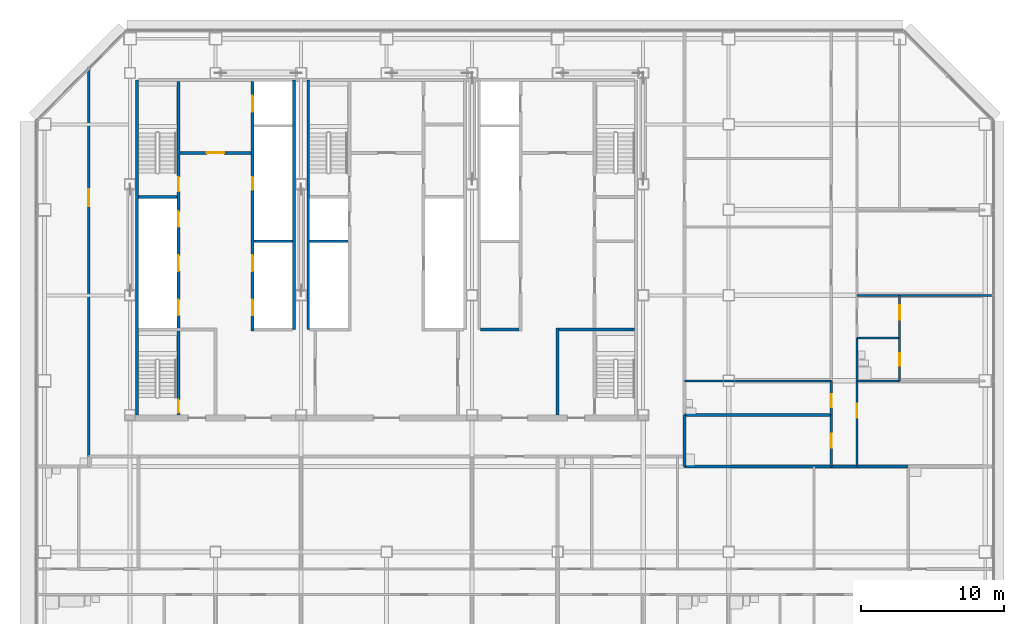
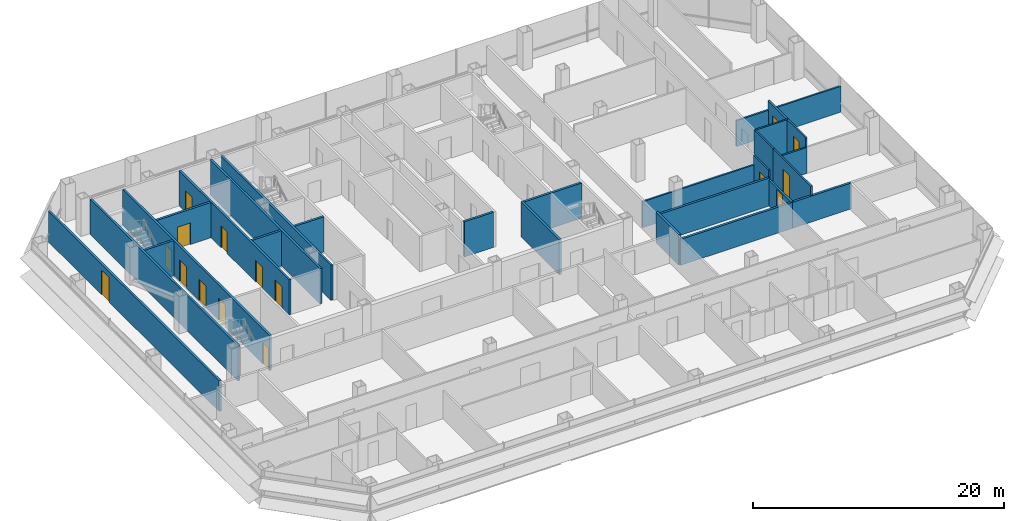
# One storey, part 22 of 27: 27 walls, 16 doors, 16 openings.
"""IFC4 building model written with IfcOpenShell, lengths in metres."""

import ifcopenshell
import ifcopenshell.guid

model = None  # the IFC model being written
_history = None  # IfcOwnerHistory: only IFC2X3 demands one
_inside = {}  # id of a spatial element -> (the spatial element, [elements in it])
_under = {}  # id of a project, library or spatial element -> (it, [spatial elements below it])
_declared = {}  # id of a project -> (the project, [libraries it declares])
_typed = {}  # id of a type object -> (the type object, [elements of that type])
_made_of = {}  # id of a material, layer set ... -> (it, [elements and type objects made of it])


def new_model(schema):
    """Start an empty IFC model of exactly this schema.

    Asked for "IFC4X3", IfcOpenShell would pick the latest addendum, in which some entities
    have other attributes; the version numbers below select the first issue.
    IFC2X3 requires an IfcOwnerHistory on every rooted entity: one is made here for all.
    """
    global model, _history
    if schema == "IFC4X3":
        model = ifcopenshell.file(schema_version=(4, 3, 0, 0))
    else:
        model = ifcopenshell.file(schema=schema)
    _inside.clear()
    _under.clear()
    _declared.clear()
    _typed.clear()
    _made_of.clear()
    _history = None
    if model.schema == "IFC2X3":
        org = make("IfcOrganization", Name="unknown")
        user = make(
            "IfcPersonAndOrganization",
            ThePerson=make("IfcPerson", FamilyName="unknown"),
            TheOrganization=org,
        )
        app = make(
            "IfcApplication",
            ApplicationDeveloper=org,
            Version="unknown",
            ApplicationFullName="unknown",
            ApplicationIdentifier="unknown",
        )
        _history = make(
            "IfcOwnerHistory",
            OwningUser=user,
            OwningApplication=app,
            ChangeAction="ADDED",
            CreationDate=0,
        )
    return model


def make(cls, **values):
    """One entity of the class cls with the attributes given. An attribute that is None is left unset."""
    return model.create_entity(
        cls, **{name: value for name, value in values.items() if value is not None}
    )


def rooted(cls, **values):
    """An entity with a GlobalId (a new one), such as an element, a storey or a relation."""
    return make(cls, GlobalId=ifcopenshell.guid.new(), OwnerHistory=_history, **values)


def si_unit(unit_type, name, prefix=None):
    """IfcSIUnit, for example si_unit("LENGTHUNIT", "METRE", prefix="MILLI")."""
    return make("IfcSIUnit", UnitType=unit_type, Prefix=prefix, Name=name)


def assignment(units):
    """IfcUnitAssignment: the units of a project."""
    return None if units is None else make("IfcUnitAssignment", Units=units)


def point(xyz):
    """IfcCartesianPoint."""
    return None if xyz is None else make("IfcCartesianPoint", Coordinates=xyz)


def direction(xyz):
    """IfcDirection."""
    return None if xyz is None else make("IfcDirection", DirectionRatios=xyz)


def frame(location, z_axis=None, x_axis=None):
    """IfcAxis2Placement3D, a coordinate frame: its origin and axes. An axis left out is left unset."""
    return make(
        "IfcAxis2Placement3D",
        Location=point(location),
        Axis=direction(z_axis),
        RefDirection=direction(x_axis),
    )


def frame_2d(location, x_axis=None):
    """IfcAxis2Placement2D, a coordinate frame in the plane: its origin and x axis."""
    return make(
        "IfcAxis2Placement2D", Location=point(location), RefDirection=direction(x_axis)
    )


def origin():
    """The frame at (0, 0, 0) with its axes left unset."""
    return frame((0.0, 0.0, 0.0))


def place(relative_to, where):
    """IfcLocalPlacement: puts the frame where relative to a parent placement (None: the world)."""
    return make(
        "IfcLocalPlacement", PlacementRelTo=relative_to, RelativePlacement=where
    )


def context(
    kind, dimensions, precision=None, world=None, true_north=None, identifier=None
):
    """IfcGeometricRepresentationContext, for example the 3D "Model" context."""
    return make(
        "IfcGeometricRepresentationContext",
        ContextIdentifier=identifier,
        ContextType=kind,
        CoordinateSpaceDimension=dimensions,
        Precision=precision,
        WorldCoordinateSystem=world,
        TrueNorth=true_north,
    )


def subcontext(parent, identifier, kind, view, scale=None):
    """IfcGeometricRepresentationSubContext, for example "Body" below "Model"."""
    return make(
        "IfcGeometricRepresentationSubContext",
        ContextIdentifier=identifier,
        ContextType=kind,
        ParentContext=parent,
        TargetScale=scale,
        TargetView=view,
    )


def project(units=None, contexts=None):
    """IfcProject with its units and contexts."""
    return rooted(
        "IfcProject",
        Name="project",
        RepresentationContexts=contexts,
        UnitsInContext=assignment(units),
    )


def spatial(cls, under=None, at=None, **own):
    """A site, building, storey or space (cls), placed at a placement, below another one or the project."""
    s = rooted(cls, ObjectPlacement=at, **own)
    if under is not None:
        _under.setdefault(under.id(), (under, []))[1].append(s)
    return s


def profile(cls, at=None, kind="AREA", **sizes):
    """A parametric profile (cls). Its sizes go by their IFC names, for example OverallWidth=200.0."""
    return make(cls, ProfileType=kind, Position=at, **sizes)


def rectangle(**sizes):
    """IfcRectangleProfileDef."""
    return profile("IfcRectangleProfileDef", **sizes)


def extrude(swept, where, along, depth):
    """IfcExtrudedAreaSolid: the profile swept, set in the frame where, extruded along a direction by depth."""
    return make(
        "IfcExtrudedAreaSolid",
        SweptArea=swept,
        Position=where,
        ExtrudedDirection=direction(along),
        Depth=depth,
    )


def shape(context_of_items, identifier, shape_type, items):
    """IfcShapeRepresentation: the items that make up one representation, for example the "Body"."""
    return make(
        "IfcShapeRepresentation",
        ContextOfItems=context_of_items,
        RepresentationIdentifier=identifier,
        RepresentationType=shape_type,
        Items=items,
    )


def material(Name=None, Category=None):
    """IfcMaterial."""
    return make("IfcMaterial", Name=Name, Category=Category)


def layer(
    of_material, thickness, ventilated=None, Name=None, Category=None, Priority=None
):
    """IfcMaterialLayer: one layer of a wall or slab, of a material (None: an air gap)."""
    return make(
        "IfcMaterialLayer",
        Material=of_material,
        LayerThickness=thickness,
        IsVentilated=ventilated,
        Name=Name,
        Category=Category,
        Priority=Priority,
    )


def layer_set(layers, Name=None):
    """IfcMaterialLayerSet."""
    return make("IfcMaterialLayerSet", MaterialLayers=layers, LayerSetName=Name)


def made_of(thing, what):
    """Note that an element or type object is made of a material, layer set ...; save() writes the relation."""
    if what is not None:
        _made_of.setdefault(what.id(), (what, []))[1].append(thing)
    return thing


def type_object(cls, material=None, **own):
    """A type object (cls), such as IfcWallType, which elements share."""
    return made_of(rooted(cls, **own), material)


def element(
    cls,
    number,
    at=None,
    inside=None,
    cuts=None,
    type_object=None,
    material=None,
    context=None,
    identifier="Body",
    shape_type=None,
    held_by="IfcProductDefinitionShape",
    body=None,
    shapes=None,
    **own,
):
    """One element of the class cls, such as IfcWall. Its Tag is "e" and its number.

    at: its placement. inside: the storey or other place that contains it. cuts: it is an
    opening in that element (IfcRelVoidsElement). A single representation is given by context,
    identifier, shape_type and body (its items); several are given by shapes. held_by: the class
    of the entity that holds the representations. save() writes the other relations.
    """
    e = rooted(cls, Tag="e%d" % number, ObjectPlacement=at, **own)
    if body is not None:
        shapes = [shape(context, identifier, shape_type, body)]
    if shapes is not None:
        e.Representation = make(held_by, Representations=shapes)
    if inside is not None:
        _inside.setdefault(inside.id(), (inside, []))[1].append(e)
    if cuts is not None:
        rooted(
            "IfcRelVoidsElement", RelatingBuildingElement=cuts, RelatedOpeningElement=e
        )
    if type_object is not None:
        _typed.setdefault(type_object.id(), (type_object, []))[1].append(e)
    return made_of(e, material)


def fill(opening, filler):
    """IfcRelFillsElement: the door or window that sits in an opening."""
    return rooted(
        "IfcRelFillsElement",
        RelatingOpeningElement=opening,
        RelatedBuildingElement=filler,
    )


def aggregate(whole, parts):
    """IfcRelAggregates: a whole, such as a stair, and the parts it consists of."""
    return rooted("IfcRelAggregates", RelatingObject=whole, RelatedObjects=parts)


def save(model, path):
    """Write the relations noted so far, then the file.

    IfcRelAggregates (storeys below a building ...), IfcRelContainedInSpatialStructure (elements
    in a storey), IfcRelDefinesByType, IfcRelAssociatesMaterial and IfcRelDeclares: one each for
    every whole, place, type object, material and project.
    """
    for whole, parts in _under.values():
        aggregate(whole, parts)
    for where, things in _inside.values():
        rooted(
            "IfcRelContainedInSpatialStructure",
            RelatedElements=things,
            RelatingStructure=where,
        )
    for kind, things in _typed.values():
        rooted("IfcRelDefinesByType", RelatedObjects=things, RelatingType=kind)
    for what, things in _made_of.values():
        rooted("IfcRelAssociatesMaterial", RelatedObjects=things, RelatingMaterial=what)
    for by, libraries in _declared.values():
        rooted("IfcRelDeclares", RelatingContext=by, RelatedDefinitions=libraries)
    model.write(path)


model = new_model("IFC4")

# Units and contexts
model_context = context("Model", 3, precision=1e-05, world=origin(), true_north=direction((0.0, 1.0)))
body_context = subcontext(model_context, "Body", "Model", "MODEL_VIEW")
ifc_project = project(units=[si_unit("LENGTHUNIT", "METRE"), si_unit("AREAUNIT", "SQUARE_METRE"), si_unit("VOLUMEUNIT", "CUBIC_METRE"), si_unit("PLANEANGLEUNIT", "RADIAN"), si_unit("MASSUNIT", "GRAM", prefix="KILO")], contexts=[model_context])

# Site, building, storey
site_placement = place(None, origin())
site = spatial("IfcSite", under=ifc_project, at=site_placement, CompositionType="ELEMENT")
building_placement = place(site_placement, origin())
building = spatial("IfcBuilding", under=site, at=building_placement, Name="Sorahane Residences", CompositionType="ELEMENT")
storey_placement = place(building_placement, frame((0.0, 0.0, 53.39990234375)))
storey = spatial("IfcBuildingStorey", under=building, at=storey_placement, Name="L09", CompositionType="ELEMENT", Elevation=53.39990234375)

# Walls
ifc_material_1 = material(Name="Concrete C30", Category="concrete")
ifc_layer_1 = layer(ifc_material_1, 0.199951171875)
ifc_layer_set_1 = layer_set([ifc_layer_1], Name="Core face wall 200 EI 180")
wall_type_1 = type_object("IfcWallType", Name="Core face wall 200 EI 180", PredefinedType="SOLIDWALL", material=ifc_layer_set_1)
wall_1_placement = place(storey_placement, frame((6.5, 21.60009765625, 0.0), z_axis=(0.0, 0.0, 1.0), x_axis=(0.0, 1.0, 0.0)))
element("IfcWall", 1, at=wall_1_placement, inside=storey, type_object=wall_type_1, Name="L09 core face wall", PredefinedType="SOLIDWALL", context=body_context, shape_type="SweptSolid", body=[
    extrude(rectangle(XDim=23.5, YDim=0.199951171875, at=frame_2d((11.75, 0.0))), origin(), (0.0, 0.0, 1.0), 3.420166015625),
])
for number, where, z_axis, x_axis, name in (
    (2, (17.5, 27.60009765625, 0.0), (0.0, 0.0, 1.0), (0.0, 1.0, 0.0), "L09 core face wall"),
    (3, (18.5, 27.60009765625, 0.0), (0.0, 0.0, 1.0), (0.0, 1.0, 0.0), "L09 core face wall"),
):
    element("IfcWall", number, at=place(storey_placement, frame(where, z_axis=z_axis, x_axis=x_axis)), inside=storey, type_object=wall_type_1, Name=name, PredefinedType="SOLIDWALL", context=body_context, shape_type="SweptSolid", body=[
        extrude(rectangle(XDim=17.5, YDim=0.199951171875, at=frame_2d((8.75, 0.0))), origin(), (0.0, 0.0, 1.0), 3.420166015625),
    ])

# Wall, opening, door
ifc_material_2 = material(Name="Concrete blockwork C20 wall", Category="masonry")
ifc_layer_2 = layer(ifc_material_2, 0.199951171875)
ifc_layer_set_2 = layer_set([ifc_layer_2], Name="Corridor wall 200 EI 120")
wall_type_2 = type_object("IfcWallType", Name="Corridor wall 200 EI 120", PredefinedType="SOLIDWALL", material=ifc_layer_set_2)
wall_2_placement = place(storey_placement, frame((3.10009765625, 18.699951171875, 0.0), z_axis=(0.0, 0.0, 1.0), x_axis=(0.0, 1.0, 0.0)))
wall_2 = element("IfcWall", 4, at=wall_2_placement, inside=storey, type_object=wall_type_2, Name="L09 corridor wall", PredefinedType="SOLIDWALL", context=body_context, shape_type="SweptSolid", body=[
    extrude(rectangle(XDim=27.2490234375, YDim=0.199951171875, at=frame_2d((13.62451171875, 0.0))), origin(), (0.0, 0.0, 1.0), 2.97021484375),
])
opening_1_placement = place(wall_2_placement, frame((17.5400390625, 0.0, 0.0)))
opening_1 = element("IfcOpeningElement", 5, at=opening_1_placement, cuts=wall_2, Name="Opening L09-43", PredefinedType="OPENING", context=body_context, shape_type="SweptSolid", body=[
    extrude(rectangle(XDim=1.199951171875, YDim=2.39990234375, at=frame_2d((0.60009765625, 1.199951171875))), frame((0.0, 0.10986328125, 0.0), z_axis=(0.0, -1.0, 0.0), x_axis=(1.0, 0.0, 0.0)), (0.0, 0.0, 1.0), 0.219970703125),
])
ifc_material_3 = material(Name="Steel", Category="steel")
door_type_1 = type_object("IfcDoorType", Name="Lobby door 1200x2400 FD60", OperationType="NOTDEFINED", PredefinedType="DOOR", material=ifc_material_3)
door_1_placement = place(opening_1_placement, origin())
door_1 = element("IfcDoor", 6, at=door_1_placement, inside=storey, type_object=door_type_1, Name="Lobby door L09-43", OperationType="SINGLE_SWING_LEFT", OverallHeight=2.39990234375, OverallWidth=1.199951171875, PredefinedType="DOOR", context=body_context, shape_type="SweptSolid", body=[
    extrude(rectangle(XDim=1.199951171875, YDim=2.39990234375, at=frame_2d((0.60009765625, 1.199951171875))), frame((0.0, 0.02490234375, 0.0), z_axis=(0.0, -1.0, 0.0), x_axis=(1.0, 0.0, 0.0)), (0.0, 0.0, 1.0), 0.050048828125),
])
fill(opening_1, door_1)

# Wall
ifc_material_4 = material(Name="Concrete C30", Category="concrete")
ifc_layer_3 = layer(ifc_material_4, 0.199951171875)
ifc_layer_set_3 = layer_set([ifc_layer_3], Name="Front room wall 200 EI 120")
wall_type_3 = type_object("IfcWallType", Name="Front room wall 200 EI 120", PredefinedType="PARTITIONING", material=ifc_layer_set_3)
wall_3_placement = place(storey_placement, frame((36.0, 21.60009765625, 0.0), z_axis=(0.0, 0.0, 1.0), x_axis=(0.0, 1.0, 0.0)))
element("IfcWall", 7, at=wall_3_placement, inside=storey, type_object=wall_type_3, Name="L09 front room wall", PredefinedType="PARTITIONING", context=body_context, shape_type="SweptSolid", body=[
    extrude(rectangle(XDim=6.099853515625, YDim=0.199951171875, at=frame_2d((3.0498046875, 0.0))), origin(), (0.0, 0.0, 1.0), 3.420166015625),
])

# Wall, opening, door
wall_4_placement = place(storey_placement, frame((9.5, 40.0, 0.0), z_axis=(0.0, 0.0, 1.0), x_axis=(1.0, 0.0, 0.0)))
wall_4 = element("IfcWall", 8, at=wall_4_placement, inside=storey, type_object=wall_type_3, Name="L09 front room wall", PredefinedType="PARTITIONING", context=body_context, shape_type="SweptSolid", body=[
    extrude(rectangle(XDim=5.0, YDim=0.199951171875, at=frame_2d((2.5, 0.0))), origin(), (0.0, 0.0, 1.0), 3.420166015625),
])
opening_2_placement = place(wall_4_placement, frame((1.89990234375, 0.0, 0.0)))
opening_2 = element("IfcOpeningElement", 9, at=opening_2_placement, cuts=wall_4, Name="Opening L09-C08", PredefinedType="OPENING", context=body_context, shape_type="SweptSolid", body=[
    extrude(rectangle(XDim=1.199951171875, YDim=2.10009765625, at=frame_2d((0.60009765625, 1.050048828125))), frame((0.0, 0.10986328125, 0.0), z_axis=(0.0, -1.0, 0.0), x_axis=(1.0, 0.0, 0.0)), (0.0, 0.0, 1.0), 0.219970703125),
])
ifc_material_5 = material(Name="Steel", Category="steel")
door_type_2 = type_object("IfcDoorType", Name="Front room door 1200x2100 FD120", OperationType="NOTDEFINED", PredefinedType="DOOR", material=ifc_material_5)
door_2_placement = place(opening_2_placement, frame((1.199951171875, 0.0, 0.0), z_axis=(0.0, 0.0, 1.0), x_axis=(-1.0, 0.0, 0.0)))
door_2 = element("IfcDoor", 10, at=door_2_placement, inside=storey, type_object=door_type_2, Name="Front room door Firefighting lobby FF1 front room L09", OperationType="DOUBLE_DOOR_SINGLE_SWING", OverallHeight=2.10009765625, OverallWidth=1.199951171875, PredefinedType="DOOR", context=body_context, shape_type="SweptSolid", body=[
    extrude(rectangle(XDim=1.199951171875, YDim=2.10009765625, at=frame_2d((0.60009765625, 1.050048828125))), frame((0.0, 0.02490234375, 0.0), z_axis=(0.0, -1.0, 0.0), x_axis=(1.0, 0.0, 0.0)), (0.0, 0.0, 1.0), 0.050048828125),
])
fill(opening_2, door_2)

# Wall
ifc_material_6 = material(Name="Concrete blockwork C20 wall", Category="masonry")
ifc_layer_4 = layer(ifc_material_6, 0.199951171875)
ifc_layer_set_4 = layer_set([ifc_layer_4], Name="Kitchen wall 200 EI 180")
wall_type_4 = type_object("IfcWallType", Name="Kitchen wall 200 EI 180", PredefinedType="SOLIDWALL", material=ifc_layer_set_4)
wall_5_placement = place(storey_placement, frame((44.89990234375, 18.0, 0.0), z_axis=(0.0, 0.0, 1.0), x_axis=(0.0, 1.0, 0.0)))
element("IfcWall", 11, at=wall_5_placement, inside=storey, type_object=wall_type_4, Name="L09 kitchen wall", PredefinedType="SOLIDWALL", context=body_context, shape_type="SweptSolid", body=[
    extrude(rectangle(XDim=3.60009765625, YDim=0.199951171875, at=frame_2d((1.800048828125, 0.0))), origin(), (0.0, 0.0, 1.0), 2.97021484375),
])

# Wall, opening, door
wall_6_placement = place(storey_placement, frame((55.199951171875, 18.0, 0.0), z_axis=(0.0, 0.0, 1.0), x_axis=(0.0, 1.0, 0.0)))
wall_6 = element("IfcWall", 12, at=wall_6_placement, inside=storey, type_object=wall_type_4, Name="L09 kitchen wall", PredefinedType="SOLIDWALL", context=body_context, shape_type="SweptSolid", body=[
    extrude(rectangle(XDim=3.60009765625, YDim=0.199951171875, at=frame_2d((1.800048828125, 0.0))), origin(), (0.0, 0.0, 1.0), 2.52001953125),
])
opening_3_placement = place(wall_6_placement, frame((1.300048828125, 0.0, 0.0)))
opening_3 = element("IfcOpeningElement", 13, at=opening_3_placement, cuts=wall_6, Name="Opening L09-29", PredefinedType="OPENING", context=body_context, shape_type="SweptSolid", body=[
    extrude(rectangle(XDim=1.0, YDim=2.39990234375, at=frame_2d((0.5, 1.199951171875))), frame((0.0, 0.10986328125, 0.0), z_axis=(0.0, -1.0, 0.0), x_axis=(1.0, 0.0, 0.0)), (0.0, 0.0, 1.0), 0.219970703125),
])
ifc_material_7 = material(Name="Steel", Category="steel")
door_type_3 = type_object("IfcDoorType", Name="Kitchen door 1000x2400 FD120", OperationType="NOTDEFINED", PredefinedType="DOOR", material=ifc_material_7)
door_3_placement = place(opening_3_placement, origin())
door_3 = element("IfcDoor", 14, at=door_3_placement, inside=storey, type_object=door_type_3, Name="Kitchen door L09-29", OperationType="SINGLE_SWING_RIGHT", OverallHeight=2.39990234375, OverallWidth=1.0, PredefinedType="DOOR", context=body_context, shape_type="SweptSolid", body=[
    extrude(rectangle(XDim=1.0, YDim=2.39990234375, at=frame_2d((0.5, 1.199951171875))), frame((0.0, 0.02490234375, 0.0), z_axis=(0.0, -1.0, 0.0), x_axis=(1.0, 0.0, 0.0)), (0.0, 0.0, 1.0), 0.050048828125),
])
fill(opening_3, door_3)

# Walls
wall_7_placement = place(storey_placement, frame((44.89990234375, 18.0, 0.0), z_axis=(0.0, 0.0, 1.0), x_axis=(1.0, 0.0, 0.0)))
element("IfcWall", 15, at=wall_7_placement, inside=storey, type_object=wall_type_4, Name="L09 kitchen wall", PredefinedType="SOLIDWALL", context=body_context, shape_type="SweptSolid", body=[
    extrude(rectangle(XDim=10.300048828125, YDim=0.199951171875, at=frame_2d((5.14990234375, 0.0))), origin(), (0.0, 0.0, 1.0), 2.52001953125),
])
wall_8_placement = place(storey_placement, frame((44.89990234375, 21.60009765625, 0.0), z_axis=(0.0, 0.0, 1.0), x_axis=(1.0, 0.0, 0.0)))
element("IfcWall", 16, at=wall_8_placement, inside=storey, type_object=wall_type_4, Name="L09 kitchen wall", PredefinedType="SOLIDWALL", context=body_context, shape_type="SweptSolid", body=[
    extrude(rectangle(XDim=10.300048828125, YDim=0.199951171875, at=frame_2d((5.14990234375, 0.0))), origin(), (0.0, 0.0, 1.0), 2.72021484375),
])

# Wall, openings, doors
ifc_material_8 = material(Name="Concrete C30", Category="concrete")
ifc_layer_5 = layer(ifc_material_8, 0.199951171875)
ifc_layer_set_5 = layer_set([ifc_layer_5], Name="Lift shaft wall 200 EI 120")
wall_type_5 = type_object("IfcWallType", Name="Lift shaft wall 200 EI 120", PredefinedType="SOLIDWALL", material=ifc_layer_set_5)
wall_9_placement = place(storey_placement, frame((14.60009765625, 27.5, 0.0), z_axis=(0.0, 0.0, 1.0), x_axis=(0.0, 1.0, 0.0)))
wall_9 = element("IfcWall", 17, at=wall_9_placement, inside=storey, type_object=wall_type_5, Name="L09 lift shaft wall", PredefinedType="SOLIDWALL", context=body_context, shape_type="SweptSolid", body=[
    extrude(rectangle(XDim=17.5, YDim=0.199951171875, at=frame_2d((8.75, 0.0))), origin(), (0.0, 0.0, 1.0), 3.420166015625),
])
opening_4_placement = place(wall_9_placement, frame((1.10009765625, 0.0, 0.0)))
opening_4 = element("IfcOpeningElement", 18, at=opening_4_placement, cuts=wall_9, Name="Opening L09-C12", PredefinedType="OPENING", context=body_context, shape_type="SweptSolid", body=[
    extrude(rectangle(XDim=1.10009765625, YDim=2.10009765625, at=frame_2d((0.550048828125, 1.050048828125))), frame((0.0, 0.10986328125, 0.0), z_axis=(0.0, -1.0, 0.0), x_axis=(1.0, 0.0, 0.0)), (0.0, 0.0, 1.0), 0.219970703125),
])
opening_5_placement = place(wall_9_placement, frame((4.199951171875, 0.0, 0.0)))
opening_5 = element("IfcOpeningElement", 19, at=opening_5_placement, cuts=wall_9, Name="Opening L09-C13", PredefinedType="OPENING", context=body_context, shape_type="SweptSolid", body=[
    extrude(rectangle(XDim=1.10009765625, YDim=2.10009765625, at=frame_2d((0.550048828125, 1.050048828125))), frame((0.0, 0.10986328125, 0.0), z_axis=(0.0, -1.0, 0.0), x_axis=(1.0, 0.0, 0.0)), (0.0, 0.0, 1.0), 0.219970703125),
])
opening_6_placement = place(wall_9_placement, frame((15.39990234375, 0.0, 0.0)))
opening_6 = element("IfcOpeningElement", 20, at=opening_6_placement, cuts=wall_9, Name="Opening L09-C14", PredefinedType="OPENING", context=body_context, shape_type="SweptSolid", body=[
    extrude(rectangle(XDim=1.10009765625, YDim=2.10009765625, at=frame_2d((0.550048828125, 1.050048828125))), frame((0.0, 0.10986328125, 0.0), z_axis=(0.0, -1.0, 0.0), x_axis=(1.0, 0.0, 0.0)), (0.0, 0.0, 1.0), 0.219970703125),
])
opening_7_placement = place(wall_9_placement, frame((9.89990234375, 0.0, 0.0)))
opening_7 = element("IfcOpeningElement", 21, at=opening_7_placement, cuts=wall_9, Name="Opening L09-C26", PredefinedType="OPENING", context=body_context, shape_type="SweptSolid", body=[
    extrude(rectangle(XDim=0.89990234375, YDim=2.10009765625, at=frame_2d((0.449951171875, 1.050048828125))), frame((0.0, 0.10986328125, 0.0), z_axis=(0.0, -1.0, 0.0), x_axis=(1.0, 0.0, 0.0)), (0.0, 0.0, 1.0), 0.219970703125),
])
ifc_material_9 = material(Name="Aluminium and stainless steel", Category="steel")
door_type_4 = type_object("IfcDoorType", Name="Lift landing door 1100x2100 E 60", OperationType="NOTDEFINED", PredefinedType="DOOR", material=ifc_material_9)
door_4_placement = place(opening_4_placement, origin())
door_4 = element("IfcDoor", 22, at=door_4_placement, inside=storey, type_object=door_type_4, Name="Lift landing door LR4 L09", OperationType="DOUBLE_DOOR_SLIDING", OverallHeight=2.10009765625, OverallWidth=1.10009765625, PredefinedType="DOOR", context=body_context, shape_type="SweptSolid", body=[
    extrude(rectangle(XDim=1.10009765625, YDim=2.10009765625, at=frame_2d((0.550048828125, 1.050048828125))), frame((0.0, 0.02490234375, 0.0), z_axis=(0.0, -1.0, 0.0), x_axis=(1.0, 0.0, 0.0)), (0.0, 0.0, 1.0), 0.050048828125),
])
fill(opening_4, door_4)
door_5_placement = place(opening_5_placement, origin())
door_5 = element("IfcDoor", 23, at=door_5_placement, inside=storey, type_object=door_type_4, Name="Lift landing door LR5 L09", OperationType="DOUBLE_DOOR_SLIDING", OverallHeight=2.10009765625, OverallWidth=1.10009765625, PredefinedType="DOOR", context=body_context, shape_type="SweptSolid", body=[
    extrude(rectangle(XDim=1.10009765625, YDim=2.10009765625, at=frame_2d((0.550048828125, 1.050048828125))), frame((0.0, 0.02490234375, 0.0), z_axis=(0.0, -1.0, 0.0), x_axis=(1.0, 0.0, 0.0)), (0.0, 0.0, 1.0), 0.050048828125),
])
fill(opening_5, door_5)
door_6_placement = place(opening_6_placement, origin())
door_6 = element("IfcDoor", 24, at=door_6_placement, inside=storey, type_object=door_type_4, Name="Lift landing door FF1 L09", OperationType="DOUBLE_DOOR_SLIDING", OverallHeight=2.10009765625, OverallWidth=1.10009765625, PredefinedType="DOOR", context=body_context, shape_type="SweptSolid", body=[
    extrude(rectangle(XDim=1.10009765625, YDim=2.10009765625, at=frame_2d((0.550048828125, 1.050048828125))), frame((0.0, 0.02490234375, 0.0), z_axis=(0.0, -1.0, 0.0), x_axis=(1.0, 0.0, 0.0)), (0.0, 0.0, 1.0), 0.050048828125),
])
fill(opening_6, door_6)
ifc_material_10 = material(Name="Steel", Category="steel")
door_type_5 = type_object("IfcDoorType", Name="Riser door 900x2100 FD120", OperationType="NOTDEFINED", PredefinedType="DOOR", material=ifc_material_10)
door_7_placement = place(opening_7_placement, origin())
door_7 = element("IfcDoor", 25, at=door_7_placement, inside=storey, type_object=door_type_5, Name="Riser door R1 L09", OperationType="SINGLE_SWING_LEFT", OverallHeight=2.10009765625, OverallWidth=0.89990234375, PredefinedType="DOOR", context=body_context, shape_type="SweptSolid", body=[
    extrude(rectangle(XDim=0.89990234375, YDim=2.10009765625, at=frame_2d((0.449951171875, 1.050048828125))), frame((0.0, 0.02490234375, 0.0), z_axis=(0.0, -1.0, 0.0), x_axis=(1.0, 0.0, 0.0)), (0.0, 0.0, 1.0), 0.050048828125),
])
fill(opening_7, door_7)

# Walls
for number, where, z_axis, x_axis, name in (
    (26, (14.699951171875, 33.800048828125, 0.0), (0.0, 0.0, 1.0), (1.0, 0.0, 0.0), "L09 lift shaft wall"),
    (27, (18.60009765625, 33.800048828125, 0.0), (0.0, 0.0, 1.0), (1.0, 0.0, 0.0), "L09 lift shaft wall"),
):
    element("IfcWall", number, at=place(storey_placement, frame(where, z_axis=z_axis, x_axis=x_axis)), inside=storey, type_object=wall_type_5, Name=name, PredefinedType="SOLIDWALL", context=body_context, shape_type="SweptSolid", body=[
        extrude(rectangle(XDim=2.699951171875, YDim=0.199951171875, at=frame_2d((1.35009765625, 0.0))), origin(), (0.0, 0.0, 1.0), 3.420166015625),
    ])

# Wall, opening, door
ifc_material_11 = material(Name="Gypsum board partition on steel studs", Category="steel")
ifc_layer_6 = layer(ifc_material_11, 0.14990234375)
ifc_layer_set_6 = layer_set([ifc_layer_6], Name="Partition 150 EI 90")
wall_type_6 = type_object("IfcWallType", Name="Partition 150 EI 90", PredefinedType="PARTITIONING", material=ifc_layer_set_6)
wall_10_placement = place(storey_placement, frame((57.0, 18.0, 0.0), z_axis=(0.0, 0.0, 1.0), x_axis=(0.0, 1.0, 0.0)))
wall_10 = element("IfcWall", 28, at=wall_10_placement, inside=storey, type_object=wall_type_6, Name="L09 partition", PredefinedType="PARTITIONING", context=body_context, shape_type="SweptSolid", body=[
    extrude(rectangle(XDim=6.0, YDim=0.14990234375, at=frame_2d((3.0, 0.0))), origin(), (0.0, 0.0, 1.0), 3.420166015625),
])
opening_8_placement = place(wall_10_placement, frame((3.39990234375, 0.0, 0.0)))
opening_8 = element("IfcOpeningElement", 29, at=opening_8_placement, cuts=wall_10, Name="Opening L09-33", PredefinedType="OPENING", context=body_context, shape_type="SweptSolid", body=[
    extrude(rectangle(XDim=1.0, YDim=2.39990234375, at=frame_2d((0.5, 1.199951171875))), frame((0.0, 0.0849609375, 0.0), z_axis=(0.0, -1.0, 0.0), x_axis=(1.0, 0.0, 0.0)), (0.0, 0.0, 1.0), 0.169921875),
])
ifc_material_12 = material(Name="Timber veneered fire door", Category="wood")
door_type_6 = type_object("IfcDoorType", Name="Room door 1000x2400 FD30", OperationType="NOTDEFINED", PredefinedType="DOOR", material=ifc_material_12)
door_8_placement = place(opening_8_placement, frame((1.0, 0.0, 0.0), z_axis=(0.0, 0.0, 1.0), x_axis=(-1.0, 0.0, 0.0)))
door_8 = element("IfcDoor", 30, at=door_8_placement, inside=storey, type_object=door_type_6, Name="Room door L09-33", OperationType="SINGLE_SWING_LEFT", OverallHeight=2.39990234375, OverallWidth=1.0, PredefinedType="DOOR", context=body_context, shape_type="SweptSolid", body=[
    extrude(rectangle(XDim=1.0, YDim=2.39990234375, at=frame_2d((0.5, 1.199951171875))), frame((0.0, 0.02490234375, 0.0), z_axis=(0.0, -1.0, 0.0), x_axis=(1.0, 0.0, 0.0)), (0.0, 0.0, 1.0), 0.050048828125),
])
fill(opening_8, door_8)

wall_11_placement = place(storey_placement, frame((60.0, 27.0, 0.0), z_axis=(0.0, 0.0, 1.0), x_axis=(0.0, 1.0, 0.0)))
wall_11 = element("IfcWall", 31, at=wall_11_placement, inside=storey, type_object=wall_type_6, Name="L09 partition", PredefinedType="PARTITIONING", context=body_context, shape_type="SweptSolid", body=[
    extrude(rectangle(XDim=3.0, YDim=0.14990234375, at=frame_2d((1.5, 0.0))), origin(), (0.0, 0.0, 1.0), 3.420166015625),
])
opening_9_placement = place(wall_11_placement, frame((1.300048828125, 0.0, 0.0)))
opening_9 = element("IfcOpeningElement", 32, at=opening_9_placement, cuts=wall_11, Name="Opening L09-38", PredefinedType="OPENING", context=body_context, shape_type="SweptSolid", body=[
    extrude(rectangle(XDim=1.0, YDim=2.39990234375, at=frame_2d((0.5, 1.199951171875))), frame((0.0, 0.0849609375, 0.0), z_axis=(0.0, -1.0, 0.0), x_axis=(1.0, 0.0, 0.0)), (0.0, 0.0, 1.0), 0.169921875),
])
door_9_placement = place(opening_9_placement, frame((1.0, 0.0, 0.0), z_axis=(0.0, 0.0, 1.0), x_axis=(-1.0, 0.0, 0.0)))
door_9 = element("IfcDoor", 33, at=door_9_placement, inside=storey, type_object=door_type_6, Name="Room door L09-38", OperationType="SINGLE_SWING_RIGHT", OverallHeight=2.39990234375, OverallWidth=1.0, PredefinedType="DOOR", context=body_context, shape_type="SweptSolid", body=[
    extrude(rectangle(XDim=1.0, YDim=2.39990234375, at=frame_2d((0.5, 1.199951171875))), frame((0.0, 0.02490234375, 0.0), z_axis=(0.0, -1.0, 0.0), x_axis=(1.0, 0.0, 0.0)), (0.0, 0.0, 1.0), 0.050048828125),
])
fill(opening_9, door_9)

# Walls
wall_12_placement = place(storey_placement, frame((57.0, 30.0, 0.0), z_axis=(0.0, 0.0, 1.0), x_axis=(1.0, 0.0, 0.0)))
element("IfcWall", 34, at=wall_12_placement, inside=storey, type_object=wall_type_6, Name="L09 partition", PredefinedType="PARTITIONING", context=body_context, shape_type="SweptSolid", body=[
    extrude(rectangle(XDim=9.60009765625, YDim=0.14990234375, at=frame_2d((4.800048828125, 0.0))), origin(), (0.0, 0.0, 1.0), 2.52001953125),
])
ifc_material_13 = material(Name="Concrete blockwork C20 wall", Category="masonry")
ifc_layer_7 = layer(ifc_material_13, 0.199951171875)
ifc_layer_set_7 = layer_set([ifc_layer_7], Name="Party wall 200 EI 120")
wall_type_7 = type_object("IfcWallType", Name="Party wall 200 EI 120", PredefinedType="SOLIDWALL", material=ifc_layer_set_7)
wall_13_placement = place(storey_placement, frame((55.199951171875, 18.0, 0.0), z_axis=(0.0, 0.0, 1.0), x_axis=(1.0, 0.0, 0.0)))
element("IfcWall", 35, at=wall_13_placement, inside=storey, type_object=wall_type_7, Name="L09 party wall", PredefinedType="SOLIDWALL", context=body_context, shape_type="SweptSolid", body=[
    extrude(rectangle(XDim=5.400146484375, YDim=0.199951171875, at=frame_2d((2.7001953125, 0.0))), origin(), (0.0, 0.0, 1.0), 2.52001953125),
])
ifc_material_14 = material(Name="Concrete C30", Category="concrete")
ifc_layer_8 = layer(ifc_material_14, 0.199951171875)
ifc_layer_set_8 = layer_set([ifc_layer_8], Name="Service room partition 200 EI 60")
wall_type_8 = type_object("IfcWallType", Name="Service room partition 200 EI 60", PredefinedType="PARTITIONING", material=ifc_layer_set_8)
wall_14_placement = place(storey_placement, frame((30.60009765625, 27.60009765625, 0.0), z_axis=(0.0, 0.0, 1.0), x_axis=(1.0, 0.0, 0.0)))
element("IfcWall", 36, at=wall_14_placement, inside=storey, type_object=wall_type_8, Name="L09 service room wall", PredefinedType="PARTITIONING", context=body_context, shape_type="SweptSolid", body=[
    extrude(rectangle(XDim=2.699951171875, YDim=0.199951171875, at=frame_2d((1.35009765625, 0.0))), origin(), (0.0, 0.0, 1.0), 3.420166015625),
])

# Wall, openings, doors
ifc_material_15 = material(Name="Concrete C30", Category="concrete")
ifc_layer_9 = layer(ifc_material_15, 0.199951171875)
ifc_layer_set_9 = layer_set([ifc_layer_9], Name="Stair enclosure wall 200 EI 120")
wall_type_9 = type_object("IfcWallType", Name="Stair enclosure wall 200 EI 120", PredefinedType="SOLIDWALL", material=ifc_layer_set_9)
wall_15_placement = place(storey_placement, frame((9.39990234375, 21.60009765625, 0.0), z_axis=(0.0, 0.0, 1.0), x_axis=(0.0, 1.0, 0.0)))
wall_15 = element("IfcWall", 37, at=wall_15_placement, inside=storey, type_object=wall_type_9, Name="L09 stair enclosure wall", PredefinedType="SOLIDWALL", context=body_context, shape_type="SweptSolid", body=[
    extrude(rectangle(XDim=23.39990234375, YDim=0.199951171875, at=frame_2d((11.699951171875, 0.0))), origin(), (0.0, 0.0, 1.0), 3.420166015625),
])
opening_10_placement = place(wall_15_placement, frame((7.0, 0.0, 0.0)))
opening_10 = element("IfcOpeningElement", 38, at=opening_10_placement, cuts=wall_15, Name="Opening L09-C15", PredefinedType="OPENING", context=body_context, shape_type="SweptSolid", body=[
    extrude(rectangle(XDim=1.10009765625, YDim=2.10009765625, at=frame_2d((0.550048828125, 1.050048828125))), frame((0.0, 0.10986328125, 0.0), z_axis=(0.0, -1.0, 0.0), x_axis=(1.0, 0.0, 0.0)), (0.0, 0.0, 1.0), 0.219970703125),
])
opening_11_placement = place(wall_15_placement, frame((10.10009765625, 0.0, 0.0)))
opening_11 = element("IfcOpeningElement", 39, at=opening_11_placement, cuts=wall_15, Name="Opening L09-C16", PredefinedType="OPENING", context=body_context, shape_type="SweptSolid", body=[
    extrude(rectangle(XDim=1.10009765625, YDim=2.10009765625, at=frame_2d((0.550048828125, 1.050048828125))), frame((0.0, 0.10986328125, 0.0), z_axis=(0.0, -1.0, 0.0), x_axis=(1.0, 0.0, 0.0)), (0.0, 0.0, 1.0), 0.219970703125),
])
opening_12_placement = place(wall_15_placement, frame((13.199951171875, 0.0, 0.0)))
opening_12 = element("IfcOpeningElement", 40, at=opening_12_placement, cuts=wall_15, Name="Opening L09-C17", PredefinedType="OPENING", context=body_context, shape_type="SweptSolid", body=[
    extrude(rectangle(XDim=1.10009765625, YDim=2.10009765625, at=frame_2d((0.550048828125, 1.050048828125))), frame((0.0, 0.10986328125, 0.0), z_axis=(0.0, -1.0, 0.0), x_axis=(1.0, 0.0, 0.0)), (0.0, 0.0, 1.0), 0.219970703125),
])
opening_13_placement = place(wall_15_placement, frame((15.699951171875, 0.0, 0.0)))
opening_13 = element("IfcOpeningElement", 41, at=opening_13_placement, cuts=wall_15, Name="Opening L09-C21", PredefinedType="OPENING", context=body_context, shape_type="SweptSolid", body=[
    extrude(rectangle(XDim=1.0, YDim=2.10009765625, at=frame_2d((0.5, 1.050048828125))), frame((0.0, 0.10986328125, 0.0), z_axis=(0.0, -1.0, 0.0), x_axis=(1.0, 0.0, 0.0)), (0.0, 0.0, 1.0), 0.219970703125),
])
opening_14_placement = place(wall_15_placement, frame((0.175048828125, 0.0, 0.0)))
opening_14 = element("IfcOpeningElement", 42, at=opening_14_placement, cuts=wall_15, Name="Opening L09-C24", PredefinedType="OPENING", context=body_context, shape_type="SweptSolid", body=[
    extrude(rectangle(XDim=0.89990234375, YDim=2.10009765625, at=frame_2d((0.449951171875, 1.050048828125))), frame((0.0, 0.10986328125, 0.0), z_axis=(0.0, -1.0, 0.0), x_axis=(1.0, 0.0, 0.0)), (0.0, 0.0, 1.0), 0.219970703125),
])
door_10_placement = place(opening_10_placement, origin())
door_10 = element("IfcDoor", 43, at=door_10_placement, inside=storey, type_object=door_type_4, Name="Lift landing door LR1 L09", OperationType="DOUBLE_DOOR_SLIDING", OverallHeight=2.10009765625, OverallWidth=1.10009765625, PredefinedType="DOOR", context=body_context, shape_type="SweptSolid", body=[
    extrude(rectangle(XDim=1.10009765625, YDim=2.10009765625, at=frame_2d((0.550048828125, 1.050048828125))), frame((0.0, 0.02490234375, 0.0), z_axis=(0.0, -1.0, 0.0), x_axis=(1.0, 0.0, 0.0)), (0.0, 0.0, 1.0), 0.050048828125),
])
fill(opening_10, door_10)
door_11_placement = place(opening_11_placement, origin())
door_11 = element("IfcDoor", 44, at=door_11_placement, inside=storey, type_object=door_type_4, Name="Lift landing door LR2 L09", OperationType="DOUBLE_DOOR_SLIDING", OverallHeight=2.10009765625, OverallWidth=1.10009765625, PredefinedType="DOOR", context=body_context, shape_type="SweptSolid", body=[
    extrude(rectangle(XDim=1.10009765625, YDim=2.10009765625, at=frame_2d((0.550048828125, 1.050048828125))), frame((0.0, 0.02490234375, 0.0), z_axis=(0.0, -1.0, 0.0), x_axis=(1.0, 0.0, 0.0)), (0.0, 0.0, 1.0), 0.050048828125),
])
fill(opening_11, door_11)
door_12_placement = place(opening_12_placement, origin())
door_12 = element("IfcDoor", 45, at=door_12_placement, inside=storey, type_object=door_type_4, Name="Lift landing door LR3 L09", OperationType="DOUBLE_DOOR_SLIDING", OverallHeight=2.10009765625, OverallWidth=1.10009765625, PredefinedType="DOOR", context=body_context, shape_type="SweptSolid", body=[
    extrude(rectangle(XDim=1.10009765625, YDim=2.10009765625, at=frame_2d((0.550048828125, 1.050048828125))), frame((0.0, 0.02490234375, 0.0), z_axis=(0.0, -1.0, 0.0), x_axis=(1.0, 0.0, 0.0)), (0.0, 0.0, 1.0), 0.050048828125),
])
fill(opening_12, door_12)
ifc_material_16 = material(Name="Steel", Category="steel")
door_type_7 = type_object("IfcDoorType", Name="Stair door 1000x2100 FD120", OperationType="NOTDEFINED", PredefinedType="DOOR", material=ifc_material_16)
door_13_placement = place(opening_13_placement, origin())
door_13 = element("IfcDoor", 46, at=door_13_placement, inside=storey, type_object=door_type_7, Name="Stair door S1 L09", OperationType="SINGLE_SWING_LEFT", OverallHeight=2.10009765625, OverallWidth=1.0, PredefinedType="DOOR", context=body_context, shape_type="SweptSolid", body=[
    extrude(rectangle(XDim=1.0, YDim=2.10009765625, at=frame_2d((0.5, 1.050048828125))), frame((0.0, 0.02490234375, 0.0), z_axis=(0.0, -1.0, 0.0), x_axis=(1.0, 0.0, 0.0)), (0.0, 0.0, 1.0), 0.050048828125),
])
fill(opening_13, door_13)
ifc_material_17 = material(Name="Steel", Category="steel")
door_type_8 = type_object("IfcDoorType", Name="Stair door 900x2100 FD120", OperationType="NOTDEFINED", PredefinedType="DOOR", material=ifc_material_17)
door_14_placement = place(opening_14_placement, origin())
door_14 = element("IfcDoor", 47, at=door_14_placement, inside=storey, type_object=door_type_8, Name="Stair door S4 L09", OperationType="SINGLE_SWING_LEFT", OverallHeight=2.10009765625, OverallWidth=0.89990234375, PredefinedType="DOOR", context=body_context, shape_type="SweptSolid", body=[
    extrude(rectangle(XDim=0.89990234375, YDim=2.10009765625, at=frame_2d((0.449951171875, 1.050048828125))), frame((0.0, 0.02490234375, 0.0), z_axis=(0.0, -1.0, 0.0), x_axis=(1.0, 0.0, 0.0)), (0.0, 0.0, 1.0), 0.050048828125),
])
fill(opening_14, door_14)

# Walls
wall_16_placement = place(storey_placement, frame((36.10009765625, 27.60009765625, 0.0), z_axis=(0.0, 0.0, 1.0), x_axis=(1.0, 0.0, 0.0)))
element("IfcWall", 48, at=wall_16_placement, inside=storey, type_object=wall_type_9, Name="L09 stair enclosure wall", PredefinedType="SOLIDWALL", context=body_context, shape_type="SweptSolid", body=[
    extrude(rectangle(XDim=5.2998046875, YDim=0.199951171875, at=frame_2d((2.64990234375, 0.0))), origin(), (0.0, 0.0, 1.0), 3.420166015625),
])
wall_17_placement = place(storey_placement, frame((6.60009765625, 36.89990234375, 0.0), z_axis=(0.0, 0.0, 1.0), x_axis=(1.0, 0.0, 0.0)))
element("IfcWall", 49, at=wall_17_placement, inside=storey, type_object=wall_type_9, Name="L09 stair enclosure wall", PredefinedType="SOLIDWALL", context=body_context, shape_type="SweptSolid", body=[
    extrude(rectangle(XDim=2.699951171875, YDim=0.199951171875, at=frame_2d((1.35009765625, 0.0))), origin(), (0.0, 0.0, 1.0), 3.420166015625),
])

# Wall, opening, door
ifc_material_18 = material(Name="Gypsum board partition on steel studs", Category="steel")
ifc_layer_10 = layer(ifc_material_18, 0.14990234375)
ifc_layer_set_10 = layer_set([ifc_layer_10], Name="Wet wall 150 EI 90")
wall_type_10 = type_object("IfcWallType", Name="Wet wall 150 EI 90", PredefinedType="PARTITIONING", material=ifc_layer_set_10)
wall_18_placement = place(storey_placement, frame((55.199951171875, 21.60009765625, 0.0), z_axis=(0.0, 0.0, 1.0), x_axis=(0.0, 1.0, 0.0)))
wall_18 = element("IfcWall", 50, at=wall_18_placement, inside=storey, type_object=wall_type_10, Name="L09 wet wall", PredefinedType="PARTITIONING", context=body_context, shape_type="SweptSolid", body=[
    extrude(rectangle(XDim=2.39990234375, YDim=0.14990234375, at=frame_2d((1.199951171875, 0.0))), origin(), (0.0, 0.0, 1.0), 3.420166015625),
])
opening_15_placement = place(wall_18_placement, frame((0.550048828125, 0.0, 0.0)))
opening_15 = element("IfcOpeningElement", 51, at=opening_15_placement, cuts=wall_18, Name="Opening L09-30", PredefinedType="OPENING", context=body_context, shape_type="SweptSolid", body=[
    extrude(rectangle(XDim=0.89990234375, YDim=2.39990234375, at=frame_2d((0.449951171875, 1.199951171875))), frame((0.0, 0.0849609375, 0.0), z_axis=(0.0, -1.0, 0.0), x_axis=(1.0, 0.0, 0.0)), (0.0, 0.0, 1.0), 0.169921875),
])
ifc_material_19 = material(Name="Timber veneered fire door", Category="wood")
door_type_9 = type_object("IfcDoorType", Name="Bathroom door 900x2400 FD30", OperationType="NOTDEFINED", PredefinedType="DOOR", material=ifc_material_19)
door_15_placement = place(opening_15_placement, frame((0.89990234375, 0.0, 0.0), z_axis=(0.0, 0.0, 1.0), x_axis=(-1.0, 0.0, 0.0)))
door_15 = element("IfcDoor", 52, at=door_15_placement, inside=storey, type_object=door_type_9, Name="Bathroom door L09-30", OperationType="SINGLE_SWING_RIGHT", OverallHeight=2.39990234375, OverallWidth=0.89990234375, PredefinedType="DOOR", context=body_context, shape_type="SweptSolid", body=[
    extrude(rectangle(XDim=0.89990234375, YDim=2.39990234375, at=frame_2d((0.449951171875, 1.199951171875))), frame((0.0, 0.02490234375, 0.0), z_axis=(0.0, -1.0, 0.0), x_axis=(1.0, 0.0, 0.0)), (0.0, 0.0, 1.0), 0.050048828125),
])
fill(opening_15, door_15)

# Wall
wall_19_placement = place(storey_placement, frame((57.0, 24.0, 0.0), z_axis=(0.0, 0.0, 1.0), x_axis=(0.0, 1.0, 0.0)))
element("IfcWall", 53, at=wall_19_placement, inside=storey, type_object=wall_type_10, Name="L09 wet wall", PredefinedType="PARTITIONING", context=body_context, shape_type="SweptSolid", body=[
    extrude(rectangle(XDim=3.0, YDim=0.14990234375, at=frame_2d((1.5, 0.0))), origin(), (0.0, 0.0, 1.0), 3.420166015625),
])

# Wall, opening, door
wall_20_placement = place(storey_placement, frame((60.0, 24.0, 0.0), z_axis=(0.0, 0.0, 1.0), x_axis=(0.0, 1.0, 0.0)))
wall_20 = element("IfcWall", 54, at=wall_20_placement, inside=storey, type_object=wall_type_10, Name="L09 wet wall", PredefinedType="PARTITIONING", context=body_context, shape_type="SweptSolid", body=[
    extrude(rectangle(XDim=3.0, YDim=0.14990234375, at=frame_2d((1.5, 0.0))), origin(), (0.0, 0.0, 1.0), 3.420166015625),
])
opening_16_placement = place(wall_20_placement, frame((1.050048828125, 0.0, 0.0)))
opening_16 = element("IfcOpeningElement", 55, at=opening_16_placement, cuts=wall_20, Name="Opening L09-39", PredefinedType="OPENING", context=body_context, shape_type="SweptSolid", body=[
    extrude(rectangle(XDim=0.89990234375, YDim=2.39990234375, at=frame_2d((0.449951171875, 1.199951171875))), frame((0.0, 0.0849609375, 0.0), z_axis=(0.0, -1.0, 0.0), x_axis=(1.0, 0.0, 0.0)), (0.0, 0.0, 1.0), 0.169921875),
])
door_16_placement = place(opening_16_placement, frame((0.89990234375, 0.0, 0.0), z_axis=(0.0, 0.0, 1.0), x_axis=(-1.0, 0.0, 0.0)))
door_16 = element("IfcDoor", 56, at=door_16_placement, inside=storey, type_object=door_type_9, Name="Bathroom door L09-39", OperationType="SINGLE_SWING_RIGHT", OverallHeight=2.39990234375, OverallWidth=0.89990234375, PredefinedType="DOOR", context=body_context, shape_type="SweptSolid", body=[
    extrude(rectangle(XDim=0.89990234375, YDim=2.39990234375, at=frame_2d((0.449951171875, 1.199951171875))), frame((0.0, 0.02490234375, 0.0), z_axis=(0.0, -1.0, 0.0), x_axis=(1.0, 0.0, 0.0)), (0.0, 0.0, 1.0), 0.050048828125),
])
fill(opening_16, door_16)

# Walls
wall_21_placement = place(storey_placement, frame((44.89990234375, 24.0, 0.0), z_axis=(0.0, 0.0, 1.0), x_axis=(1.0, 0.0, 0.0)))
element("IfcWall", 57, at=wall_21_placement, inside=storey, type_object=wall_type_10, Name="L09 wet wall", PredefinedType="PARTITIONING", context=body_context, shape_type="SweptSolid", body=[
    extrude(rectangle(XDim=10.300048828125, YDim=0.14990234375, at=frame_2d((5.14990234375, 0.0))), origin(), (0.0, 0.0, 1.0), 2.52001953125),
])
wall_22_placement = place(storey_placement, frame((57.0, 24.0, 0.0), z_axis=(0.0, 0.0, 1.0), x_axis=(1.0, 0.0, 0.0)))
element("IfcWall", 58, at=wall_22_placement, inside=storey, type_object=wall_type_10, Name="L09 wet wall", PredefinedType="PARTITIONING", context=body_context, shape_type="SweptSolid", body=[
    extrude(rectangle(XDim=3.0, YDim=0.14990234375, at=frame_2d((1.5, 0.0))), origin(), (0.0, 0.0, 1.0), 2.52001953125),
])
wall_23_placement = place(storey_placement, frame((57.0, 27.0, 0.0), z_axis=(0.0, 0.0, 1.0), x_axis=(1.0, 0.0, 0.0)))
element("IfcWall", 59, at=wall_23_placement, inside=storey, type_object=wall_type_10, Name="L09 wet wall", PredefinedType="PARTITIONING", context=body_context, shape_type="SweptSolid", body=[
    extrude(rectangle(XDim=3.0, YDim=0.14990234375, at=frame_2d((1.5, 0.0))), origin(), (0.0, 0.0, 1.0), 3.420166015625),
])

save(model, "model.ifc")
